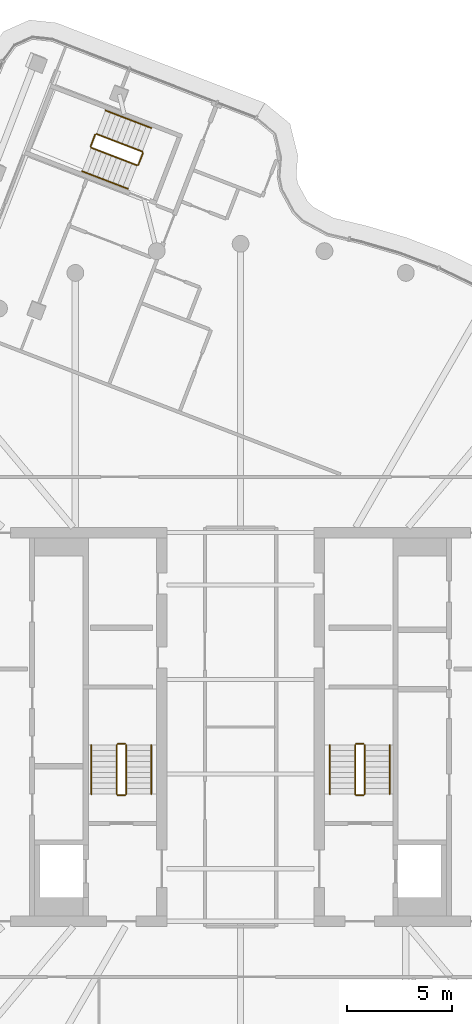
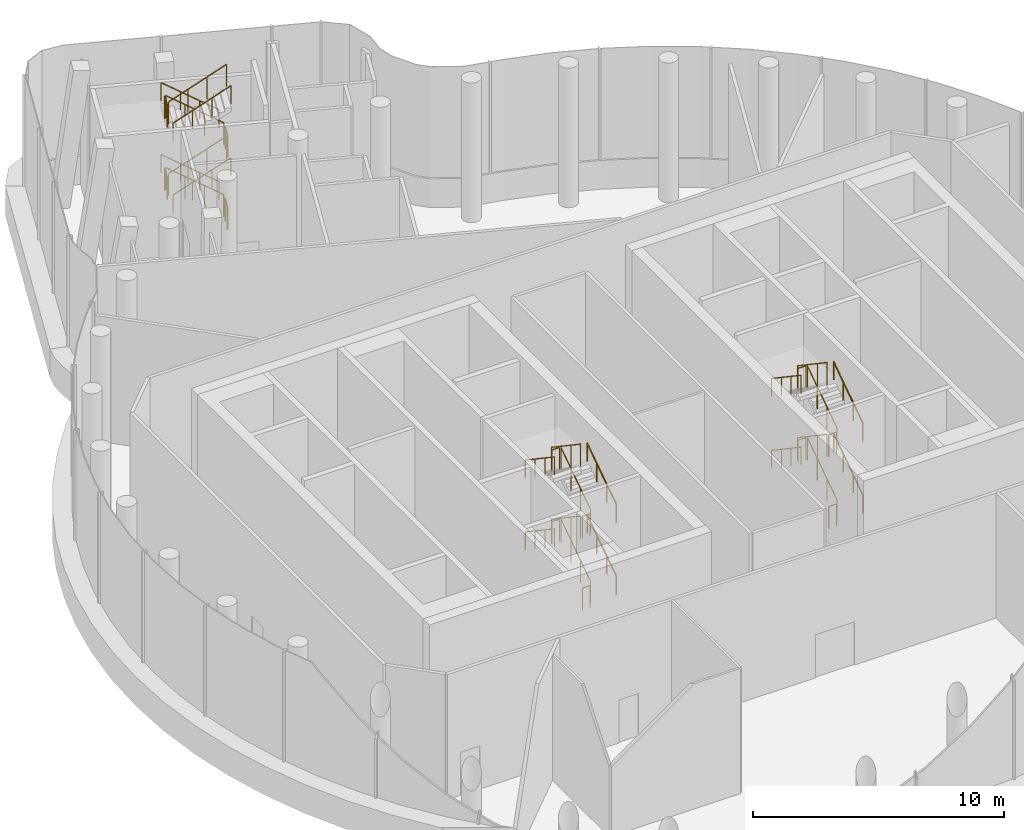
# One storey, part 12 of 12: 36 railings.
"""IFC4 building model written with IfcOpenShell, lengths in metres."""

from ifc_helpers import new_model, si_unit, direction, frame, origin, origin_2d, place, context, subcontext, project, spatial, circle, extrude, material, type_object, element, save


model = new_model("IFC4")

# Units and contexts
model_context = context("Model", 3, precision=1e-05, world=origin(), true_north=direction((0.0, 1.0)))
body_context = subcontext(model_context, "Body", "Model", "MODEL_VIEW")
ifc_project = project(units=[si_unit("LENGTHUNIT", "METRE"), si_unit("AREAUNIT", "SQUARE_METRE"), si_unit("VOLUMEUNIT", "CUBIC_METRE"), si_unit("PLANEANGLEUNIT", "RADIAN"), si_unit("MASSUNIT", "GRAM", prefix="KILO")], contexts=[model_context])

# Site, building, storey
site_placement = place(None, origin())
site = spatial("IfcSite", under=ifc_project, at=site_placement, CompositionType="ELEMENT")
building_placement = place(site_placement, origin())
building = spatial("IfcBuilding", under=site, at=building_placement, Name="Tamarind Cross Interchange Tower", CompositionType="ELEMENT")
storey_placement = place(building_placement, frame((0.0, 0.0, 287.39990234375)))
storey = spatial("IfcBuildingStorey", under=building, at=storey_placement, Name="L72", CompositionType="ELEMENT", Elevation=287.39990234375)

# Railings
ifc_material_1 = material(Name="Stair guard")
railing_type_1 = type_object("IfcRailingType", Name="Stair guard", PredefinedType="GUARDRAIL", material=ifc_material_1)
railing_1_placement = place(storey_placement, frame((-5.449951171875, -3.199951171875, 0.175048828125)))
element("IfcRailing", 1, at=railing_1_placement, inside=storey, type_object=railing_type_1, Name="L72 ST1 stair guard 1", PredefinedType="GUARDRAIL", context=body_context, shape_type="SweptSolid", body=[
    extrude(circle(Radius=0.02392578125, at=origin_2d()), frame((0.0, 0.0, 1.076171875), z_axis=(0.0, 0.829578494604, 0.558390115681), x_axis=(-1.0, 0.0, 0.0)), (0.0, 0.0, 1.0), 2.820556640625),
    extrude(circle(Radius=0.02099609375, at=origin_2d()), origin(), (0.0, 0.0, 1.0), 1.052001953125),
    extrude(circle(Radius=0.02099609375, at=origin_2d()), frame((0.0, 0.780029296875, 0.52490234375)), (0.0, 0.0, 1.0), 1.052001953125),
    extrude(circle(Radius=0.02099609375, at=origin_2d()), frame((0.0, 1.559814453125, 1.050048828125)), (0.0, 0.0, 1.0), 1.052001953125),
    extrude(circle(Radius=0.02099609375, at=origin_2d()), frame((0.0, 2.33984375, 1.574951171875)), (0.0, 0.0, 1.0), 1.052001953125),
])
railing_2_placement = place(storey_placement, frame((-5.5, -0.81005859375, 1.75)))
element("IfcRailing", 2, at=railing_2_placement, inside=storey, type_object=railing_type_1, Name="L72 ST1 stair guard 2", PredefinedType="GUARDRAIL", context=body_context, shape_type="SweptSolid", body=[
    extrude(circle(Radius=0.02392578125, at=origin_2d()), frame((0.0, 0.0, 1.076171875), z_axis=(-1.0, 0.0, 0.0), x_axis=(0.0, -1.0, 0.0)), (0.0, 0.0, 1.0), 0.35009765625),
    extrude(circle(Radius=0.02099609375, at=origin_2d()), origin(), (0.0, 0.0, 1.0), 1.052001953125),
    extrude(circle(Radius=0.02099609375, at=origin_2d()), frame((-0.35009765625, 0.0, 0.0)), (0.0, 0.0, 1.0), 1.052001953125),
])
railing_3_placement = place(storey_placement, frame((-5.89990234375, -0.860107421875, 1.925048828125)))
element("IfcRailing", 3, at=railing_3_placement, inside=storey, type_object=railing_type_1, Name="L72 ST1 stair guard 3", PredefinedType="GUARDRAIL", context=body_context, shape_type="SweptSolid", body=[
    extrude(circle(Radius=0.02392578125, at=origin_2d()), frame((0.0, 0.0, 1.076171875), z_axis=(0.0, -0.829578494604, 0.558390115681), x_axis=(1.0, 0.0, 0.0)), (0.0, 0.0, 1.0), 2.820556640625),
    extrude(circle(Radius=0.02099609375, at=origin_2d()), origin(), (0.0, 0.0, 1.0), 1.052001953125),
    extrude(circle(Radius=0.02099609375, at=origin_2d()), frame((0.0, -0.780029296875, 0.52490234375)), (0.0, 0.0, 1.0), 1.052001953125),
    extrude(circle(Radius=0.02099609375, at=origin_2d()), frame((0.0, -1.559814453125, 1.050048828125)), (0.0, 0.0, 1.0), 1.052001953125),
    extrude(circle(Radius=0.02099609375, at=origin_2d()), frame((0.0, -2.33984375, 1.574951171875)), (0.0, 0.0, 1.0), 1.052001953125),
])
railing_4_placement = place(storey_placement, frame((-5.5, -3.25, 3.5)))
element("IfcRailing", 4, at=railing_4_placement, inside=storey, type_object=railing_type_1, Name="L72 ST1 stair guard 4", PredefinedType="GUARDRAIL", context=body_context, shape_type="SweptSolid", body=[
    extrude(circle(Radius=0.02392578125, at=origin_2d()), frame((0.0, 0.0, 1.076171875), z_axis=(-1.0, 0.0, 0.0), x_axis=(0.0, -1.0, 0.0)), (0.0, 0.0, 1.0), 0.35009765625),
    extrude(circle(Radius=0.02099609375, at=origin_2d()), origin(), (0.0, 0.0, 1.0), 1.052001953125),
    extrude(circle(Radius=0.02099609375, at=origin_2d()), frame((-0.35009765625, 0.0, 0.0)), (0.0, 0.0, 1.0), 1.052001953125),
])
railing_5_placement = place(storey_placement, frame((-5.449951171875, -3.199951171875, 3.675048828125)))
element("IfcRailing", 5, at=railing_5_placement, inside=storey, type_object=railing_type_1, Name="L72 ST1 stair guard 5", PredefinedType="GUARDRAIL", context=body_context, shape_type="SweptSolid", body=[
    extrude(circle(Radius=0.02392578125, at=origin_2d()), frame((0.0, 0.0, 1.076171875), z_axis=(0.0, 0.829578494604, 0.558390115681), x_axis=(-1.0, 0.0, 0.0)), (0.0, 0.0, 1.0), 2.820556640625),
    extrude(circle(Radius=0.02099609375, at=origin_2d()), origin(), (0.0, 0.0, 1.0), 1.052001953125),
    extrude(circle(Radius=0.02099609375, at=origin_2d()), frame((0.0, 0.780029296875, 0.52490234375)), (0.0, 0.0, 1.0), 1.052001953125),
    extrude(circle(Radius=0.02099609375, at=origin_2d()), frame((0.0, 1.559814453125, 1.050048828125)), (0.0, 0.0, 1.0), 1.052001953125),
    extrude(circle(Radius=0.02099609375, at=origin_2d()), frame((0.0, 2.33984375, 1.574951171875)), (0.0, 0.0, 1.0), 1.052001953125),
])
railing_6_placement = place(storey_placement, frame((-5.5, -0.81005859375, 5.25)))
element("IfcRailing", 6, at=railing_6_placement, inside=storey, type_object=railing_type_1, Name="L72 ST1 stair guard 6", PredefinedType="GUARDRAIL", context=body_context, shape_type="SweptSolid", body=[
    extrude(circle(Radius=0.02392578125, at=origin_2d()), frame((0.0, 0.0, 1.076171875), z_axis=(-1.0, 0.0, 0.0), x_axis=(0.0, -1.0, 0.0)), (0.0, 0.0, 1.0), 0.35009765625),
    extrude(circle(Radius=0.02099609375, at=origin_2d()), origin(), (0.0, 0.0, 1.0), 1.052001953125),
    extrude(circle(Radius=0.02099609375, at=origin_2d()), frame((-0.35009765625, 0.0, 0.0)), (0.0, 0.0, 1.0), 1.052001953125),
])
railing_7_placement = place(storey_placement, frame((-5.89990234375, -0.860107421875, 5.425048828125)))
element("IfcRailing", 7, at=railing_7_placement, inside=storey, type_object=railing_type_1, Name="L72 ST1 stair guard 7", PredefinedType="GUARDRAIL", context=body_context, shape_type="SweptSolid", body=[
    extrude(circle(Radius=0.02392578125, at=origin_2d()), frame((0.0, 0.0, 1.076171875), z_axis=(0.0, -0.829578494604, 0.558390115681), x_axis=(1.0, 0.0, 0.0)), (0.0, 0.0, 1.0), 2.820556640625),
    extrude(circle(Radius=0.02099609375, at=origin_2d()), origin(), (0.0, 0.0, 1.0), 1.052001953125),
    extrude(circle(Radius=0.02099609375, at=origin_2d()), frame((0.0, -0.780029296875, 0.52490234375)), (0.0, 0.0, 1.0), 1.052001953125),
    extrude(circle(Radius=0.02099609375, at=origin_2d()), frame((0.0, -1.559814453125, 1.050048828125)), (0.0, 0.0, 1.0), 1.052001953125),
    extrude(circle(Radius=0.02099609375, at=origin_2d()), frame((0.0, -2.33984375, 1.574951171875)), (0.0, 0.0, 1.0), 1.052001953125),
])
railing_8_placement = place(storey_placement, frame((-5.5, -3.25, 0.0)))
element("IfcRailing", 8, at=railing_8_placement, inside=storey, type_object=railing_type_1, Name="L72 ST1 stair guard 8", PredefinedType="GUARDRAIL", context=body_context, shape_type="SweptSolid", body=[
    extrude(circle(Radius=0.02392578125, at=origin_2d()), frame((0.0, 0.0, 1.076171875), z_axis=(-1.0, 0.0, 0.0), x_axis=(0.0, -1.0, 0.0)), (0.0, 0.0, 1.0), 0.35009765625),
    extrude(circle(Radius=0.02099609375, at=origin_2d()), origin(), (0.0, 0.0, 1.0), 1.052001953125),
    extrude(circle(Radius=0.02099609375, at=origin_2d()), frame((-0.35009765625, 0.0, 0.0)), (0.0, 0.0, 1.0), 1.052001953125),
])
railing_9_placement = place(storey_placement, frame((5.89990234375, -3.199951171875, 0.175048828125)))
element("IfcRailing", 9, at=railing_9_placement, inside=storey, type_object=railing_type_1, Name="L72 ST2 stair guard 1", PredefinedType="GUARDRAIL", context=body_context, shape_type="SweptSolid", body=[
    extrude(circle(Radius=0.02392578125, at=origin_2d()), frame((0.0, 0.0, 1.076171875), z_axis=(0.0, 0.829578494604, 0.558390115681), x_axis=(-1.0, 0.0, 0.0)), (0.0, 0.0, 1.0), 2.820556640625),
    extrude(circle(Radius=0.02099609375, at=origin_2d()), origin(), (0.0, 0.0, 1.0), 1.052001953125),
    extrude(circle(Radius=0.02099609375, at=origin_2d()), frame((0.0, 0.780029296875, 0.52490234375)), (0.0, 0.0, 1.0), 1.052001953125),
    extrude(circle(Radius=0.02099609375, at=origin_2d()), frame((0.0, 1.559814453125, 1.050048828125)), (0.0, 0.0, 1.0), 1.052001953125),
    extrude(circle(Radius=0.02099609375, at=origin_2d()), frame((0.0, 2.33984375, 1.574951171875)), (0.0, 0.0, 1.0), 1.052001953125),
])
railing_10_placement = place(storey_placement, frame((5.85009765625, -0.81005859375, 1.75)))
element("IfcRailing", 10, at=railing_10_placement, inside=storey, type_object=railing_type_1, Name="L72 ST2 stair guard 2", PredefinedType="GUARDRAIL", context=body_context, shape_type="SweptSolid", body=[
    extrude(circle(Radius=0.02392578125, at=origin_2d()), frame((0.0, 0.0, 1.076171875), z_axis=(-1.0, 0.0, 0.0), x_axis=(0.0, -1.0, 0.0)), (0.0, 0.0, 1.0), 0.35009765625),
    extrude(circle(Radius=0.02099609375, at=origin_2d()), origin(), (0.0, 0.0, 1.0), 1.052001953125),
    extrude(circle(Radius=0.02099609375, at=origin_2d()), frame((-0.35009765625, 0.0, 0.0)), (0.0, 0.0, 1.0), 1.052001953125),
])
railing_11_placement = place(storey_placement, frame((5.449951171875, -0.860107421875, 1.925048828125)))
element("IfcRailing", 11, at=railing_11_placement, inside=storey, type_object=railing_type_1, Name="L72 ST2 stair guard 3", PredefinedType="GUARDRAIL", context=body_context, shape_type="SweptSolid", body=[
    extrude(circle(Radius=0.02392578125, at=origin_2d()), frame((0.0, 0.0, 1.076171875), z_axis=(0.0, -0.829578494604, 0.558390115681), x_axis=(1.0, 0.0, 0.0)), (0.0, 0.0, 1.0), 2.820556640625),
    extrude(circle(Radius=0.02099609375, at=origin_2d()), origin(), (0.0, 0.0, 1.0), 1.052001953125),
    extrude(circle(Radius=0.02099609375, at=origin_2d()), frame((0.0, -0.780029296875, 0.52490234375)), (0.0, 0.0, 1.0), 1.052001953125),
    extrude(circle(Radius=0.02099609375, at=origin_2d()), frame((0.0, -1.559814453125, 1.050048828125)), (0.0, 0.0, 1.0), 1.052001953125),
    extrude(circle(Radius=0.02099609375, at=origin_2d()), frame((0.0, -2.33984375, 1.574951171875)), (0.0, 0.0, 1.0), 1.052001953125),
])
railing_12_placement = place(storey_placement, frame((5.85009765625, -3.25, 3.5)))
element("IfcRailing", 12, at=railing_12_placement, inside=storey, type_object=railing_type_1, Name="L72 ST2 stair guard 4", PredefinedType="GUARDRAIL", context=body_context, shape_type="SweptSolid", body=[
    extrude(circle(Radius=0.02392578125, at=origin_2d()), frame((0.0, 0.0, 1.076171875), z_axis=(-1.0, 0.0, 0.0), x_axis=(0.0, -1.0, 0.0)), (0.0, 0.0, 1.0), 0.35009765625),
    extrude(circle(Radius=0.02099609375, at=origin_2d()), origin(), (0.0, 0.0, 1.0), 1.052001953125),
    extrude(circle(Radius=0.02099609375, at=origin_2d()), frame((-0.35009765625, 0.0, 0.0)), (0.0, 0.0, 1.0), 1.052001953125),
])
railing_13_placement = place(storey_placement, frame((5.89990234375, -3.199951171875, 3.675048828125)))
element("IfcRailing", 13, at=railing_13_placement, inside=storey, type_object=railing_type_1, Name="L72 ST2 stair guard 5", PredefinedType="GUARDRAIL", context=body_context, shape_type="SweptSolid", body=[
    extrude(circle(Radius=0.02392578125, at=origin_2d()), frame((0.0, 0.0, 1.076171875), z_axis=(0.0, 0.829578494604, 0.558390115681), x_axis=(-1.0, 0.0, 0.0)), (0.0, 0.0, 1.0), 2.820556640625),
    extrude(circle(Radius=0.02099609375, at=origin_2d()), origin(), (0.0, 0.0, 1.0), 1.052001953125),
    extrude(circle(Radius=0.02099609375, at=origin_2d()), frame((0.0, 0.780029296875, 0.52490234375)), (0.0, 0.0, 1.0), 1.052001953125),
    extrude(circle(Radius=0.02099609375, at=origin_2d()), frame((0.0, 1.559814453125, 1.050048828125)), (0.0, 0.0, 1.0), 1.052001953125),
    extrude(circle(Radius=0.02099609375, at=origin_2d()), frame((0.0, 2.33984375, 1.574951171875)), (0.0, 0.0, 1.0), 1.052001953125),
])
railing_14_placement = place(storey_placement, frame((5.85009765625, -0.81005859375, 5.25)))
element("IfcRailing", 14, at=railing_14_placement, inside=storey, type_object=railing_type_1, Name="L72 ST2 stair guard 6", PredefinedType="GUARDRAIL", context=body_context, shape_type="SweptSolid", body=[
    extrude(circle(Radius=0.02392578125, at=origin_2d()), frame((0.0, 0.0, 1.076171875), z_axis=(-1.0, 0.0, 0.0), x_axis=(0.0, -1.0, 0.0)), (0.0, 0.0, 1.0), 0.35009765625),
    extrude(circle(Radius=0.02099609375, at=origin_2d()), origin(), (0.0, 0.0, 1.0), 1.052001953125),
    extrude(circle(Radius=0.02099609375, at=origin_2d()), frame((-0.35009765625, 0.0, 0.0)), (0.0, 0.0, 1.0), 1.052001953125),
])
railing_15_placement = place(storey_placement, frame((5.449951171875, -0.860107421875, 5.425048828125)))
element("IfcRailing", 15, at=railing_15_placement, inside=storey, type_object=railing_type_1, Name="L72 ST2 stair guard 7", PredefinedType="GUARDRAIL", context=body_context, shape_type="SweptSolid", body=[
    extrude(circle(Radius=0.02392578125, at=origin_2d()), frame((0.0, 0.0, 1.076171875), z_axis=(0.0, -0.829578494604, 0.558390115681), x_axis=(1.0, 0.0, 0.0)), (0.0, 0.0, 1.0), 2.820556640625),
    extrude(circle(Radius=0.02099609375, at=origin_2d()), origin(), (0.0, 0.0, 1.0), 1.052001953125),
    extrude(circle(Radius=0.02099609375, at=origin_2d()), frame((0.0, -0.780029296875, 0.52490234375)), (0.0, 0.0, 1.0), 1.052001953125),
    extrude(circle(Radius=0.02099609375, at=origin_2d()), frame((0.0, -1.559814453125, 1.050048828125)), (0.0, 0.0, 1.0), 1.052001953125),
    extrude(circle(Radius=0.02099609375, at=origin_2d()), frame((0.0, -2.33984375, 1.574951171875)), (0.0, 0.0, 1.0), 1.052001953125),
])
railing_16_placement = place(storey_placement, frame((5.85009765625, -3.25, 0.0)))
element("IfcRailing", 16, at=railing_16_placement, inside=storey, type_object=railing_type_1, Name="L72 ST2 stair guard 8", PredefinedType="GUARDRAIL", context=body_context, shape_type="SweptSolid", body=[
    extrude(circle(Radius=0.02392578125, at=origin_2d()), frame((0.0, 0.0, 1.076171875), z_axis=(-1.0, 0.0, 0.0), x_axis=(0.0, -1.0, 0.0)), (0.0, 0.0, 1.0), 0.35009765625),
    extrude(circle(Radius=0.02099609375, at=origin_2d()), origin(), (0.0, 0.0, 1.0), 1.052001953125),
    extrude(circle(Radius=0.02099609375, at=origin_2d()), frame((-0.35009765625, 0.0, 0.0)), (0.0, 0.0, 1.0), 1.052001953125),
])
railing_17_placement = place(storey_placement, frame((-4.677001953125, 27.388671875, 0.175048828125)))
element("IfcRailing", 17, at=railing_17_placement, inside=storey, type_object=railing_type_1, Name="L72 ST4 stair guard 1", PredefinedType="GUARDRAIL", context=body_context, shape_type="SweptSolid", body=[
    extrude(circle(Radius=0.02392578125, at=origin_2d()), frame((0.0, 0.0, 1.076171875), z_axis=(-0.774246222095, 0.297926830235, 0.558374776829), x_axis=(-0.359125898774, -0.933289123921, 0.0)), (0.0, 0.0, 1.0), 2.820556640625),
    extrude(circle(Radius=0.02099609375, at=origin_2d()), origin(), (0.0, 0.0, 1.0), 1.052001953125),
    extrude(circle(Radius=0.02099609375, at=origin_2d()), frame((-0.72802734375, 0.280029296875, 0.52490234375)), (0.0, 0.0, 1.0), 1.052001953125),
    extrude(circle(Radius=0.02099609375, at=origin_2d()), frame((-1.455810546875, 0.560302734375, 1.050048828125)), (0.0, 0.0, 1.0), 1.052001953125),
    extrude(circle(Radius=0.02099609375, at=origin_2d()), frame((-2.183837890625, 0.84033203125, 1.574951171875)), (0.0, 0.0, 1.0), 1.052001953125),
])
railing_18_placement = place(storey_placement, frame((-6.925537109375, 28.2001953125, 1.75)))
element("IfcRailing", 18, at=railing_18_placement, inside=storey, type_object=railing_type_1, Name="L72 ST4 stair guard 2", PredefinedType="GUARDRAIL", context=body_context, shape_type="SweptSolid", body=[
    extrude(circle(Radius=0.02392578125, at=origin_2d()), frame((0.0, 0.0, 1.076171875), z_axis=(-0.35900635481, -0.933335115168, 0.0), x_axis=(0.933335115168, -0.35900635481, 0.0)), (0.0, 0.0, 1.0), 0.599853515625),
    extrude(circle(Radius=0.02099609375, at=origin_2d()), origin(), (0.0, 0.0, 1.0), 1.052001953125),
    extrude(circle(Radius=0.02099609375, at=origin_2d()), frame((-0.21533203125, -0.559814453125, 0.0)), (0.0, 0.0, 1.0), 1.052001953125),
])
railing_19_placement = place(storey_placement, frame((-7.1123046875, 27.57568359375, 1.925048828125)))
element("IfcRailing", 19, at=railing_19_placement, inside=storey, type_object=railing_type_1, Name="L72 ST4 stair guard 3", PredefinedType="GUARDRAIL", context=body_context, shape_type="SweptSolid", body=[
    extrude(circle(Radius=0.02392578125, at=origin_2d()), frame((0.0, 0.0, 1.076171875), z_axis=(0.774280888117, -0.297906865292, 0.558337358511), x_axis=(0.359090931673, 0.933302578369, 0.0)), (0.0, 0.0, 1.0), 2.82080078125),
    extrude(circle(Radius=0.02099609375, at=origin_2d()), origin(), (0.0, 0.0, 1.0), 1.052001953125),
    extrude(circle(Radius=0.02099609375, at=origin_2d()), frame((0.72802734375, -0.280029296875, 0.52490234375)), (0.0, 0.0, 1.0), 1.052001953125),
    extrude(circle(Radius=0.02099609375, at=origin_2d()), frame((1.4560546875, -0.560302734375, 1.050048828125)), (0.0, 0.0, 1.0), 1.052001953125),
    extrude(circle(Radius=0.02099609375, at=origin_2d()), frame((2.18408203125, -0.84033203125, 1.574951171875)), (0.0, 0.0, 1.0), 1.052001953125),
])
railing_20_placement = place(storey_placement, frame((-4.648193359375, 27.32421875, 3.5)))
element("IfcRailing", 20, at=railing_20_placement, inside=storey, type_object=railing_type_1, Name="L72 ST4 stair guard 4", PredefinedType="GUARDRAIL", context=body_context, shape_type="SweptSolid", body=[
    extrude(circle(Radius=0.02392578125, at=origin_2d()), frame((0.0, 0.0, 1.076171875), z_axis=(-0.359224418723, -0.933251207871, 0.0), x_axis=(0.933251207871, -0.359224418723, 0.0)), (0.0, 0.0, 1.0), 0.60009765625),
    extrude(circle(Radius=0.02099609375, at=origin_2d()), origin(), (0.0, 0.0, 1.0), 1.052001953125),
    extrude(circle(Radius=0.02099609375, at=origin_2d()), frame((-0.215576171875, -0.56005859375, 0.0)), (0.0, 0.0, 1.0), 1.052001953125),
])
railing_21_placement = place(storey_placement, frame((-4.677001953125, 27.388671875, 3.675048828125)))
element("IfcRailing", 21, at=railing_21_placement, inside=storey, type_object=railing_type_1, Name="L72 ST4 stair guard 5", PredefinedType="GUARDRAIL", context=body_context, shape_type="SweptSolid", body=[
    extrude(circle(Radius=0.02392578125, at=origin_2d()), frame((0.0, 0.0, 1.076171875), z_axis=(-0.774246222095, 0.297926830235, 0.558374776829), x_axis=(-0.359125898774, -0.933289123921, 0.0)), (0.0, 0.0, 1.0), 2.820556640625),
    extrude(circle(Radius=0.02099609375, at=origin_2d()), origin(), (0.0, 0.0, 1.0), 1.052001953125),
    extrude(circle(Radius=0.02099609375, at=origin_2d()), frame((-0.72802734375, 0.280029296875, 0.52490234375)), (0.0, 0.0, 1.0), 1.052001953125),
    extrude(circle(Radius=0.02099609375, at=origin_2d()), frame((-1.455810546875, 0.560302734375, 1.050048828125)), (0.0, 0.0, 1.0), 1.052001953125),
    extrude(circle(Radius=0.02099609375, at=origin_2d()), frame((-2.183837890625, 0.84033203125, 1.574951171875)), (0.0, 0.0, 1.0), 1.052001953125),
])
railing_22_placement = place(storey_placement, frame((-6.925537109375, 28.2001953125, 5.25)))
element("IfcRailing", 22, at=railing_22_placement, inside=storey, type_object=railing_type_1, Name="L72 ST4 stair guard 6", PredefinedType="GUARDRAIL", context=body_context, shape_type="SweptSolid", body=[
    extrude(circle(Radius=0.02392578125, at=origin_2d()), frame((0.0, 0.0, 1.076171875), z_axis=(-0.35900635481, -0.933335115168, 0.0), x_axis=(0.933335115168, -0.35900635481, 0.0)), (0.0, 0.0, 1.0), 0.599853515625),
    extrude(circle(Radius=0.02099609375, at=origin_2d()), origin(), (0.0, 0.0, 1.0), 1.052001953125),
    extrude(circle(Radius=0.02099609375, at=origin_2d()), frame((-0.21533203125, -0.559814453125, 0.0)), (0.0, 0.0, 1.0), 1.052001953125),
])
railing_23_placement = place(storey_placement, frame((-7.1123046875, 27.57568359375, 5.425048828125)))
element("IfcRailing", 23, at=railing_23_placement, inside=storey, type_object=railing_type_1, Name="L72 ST4 stair guard 7", PredefinedType="GUARDRAIL", context=body_context, shape_type="SweptSolid", body=[
    extrude(circle(Radius=0.02392578125, at=origin_2d()), frame((0.0, 0.0, 1.076171875), z_axis=(0.774280888117, -0.297906865292, 0.558337358511), x_axis=(0.359090931673, 0.933302578369, 0.0)), (0.0, 0.0, 1.0), 2.82080078125),
    extrude(circle(Radius=0.02099609375, at=origin_2d()), origin(), (0.0, 0.0, 1.0), 1.052001953125),
    extrude(circle(Radius=0.02099609375, at=origin_2d()), frame((0.72802734375, -0.280029296875, 0.52490234375)), (0.0, 0.0, 1.0), 1.052001953125),
    extrude(circle(Radius=0.02099609375, at=origin_2d()), frame((1.4560546875, -0.560302734375, 1.050048828125)), (0.0, 0.0, 1.0), 1.052001953125),
    extrude(circle(Radius=0.02099609375, at=origin_2d()), frame((2.18408203125, -0.84033203125, 1.574951171875)), (0.0, 0.0, 1.0), 1.052001953125),
])
railing_24_placement = place(storey_placement, frame((-4.648193359375, 27.32421875, 0.0)))
element("IfcRailing", 24, at=railing_24_placement, inside=storey, type_object=railing_type_1, Name="L72 ST4 stair guard 8", PredefinedType="GUARDRAIL", context=body_context, shape_type="SweptSolid", body=[
    extrude(circle(Radius=0.02392578125, at=origin_2d()), frame((0.0, 0.0, 1.076171875), z_axis=(-0.359224418723, -0.933251207871, 0.0), x_axis=(0.933251207871, -0.359224418723, 0.0)), (0.0, 0.0, 1.0), 0.60009765625),
    extrude(circle(Radius=0.02099609375, at=origin_2d()), origin(), (0.0, 0.0, 1.0), 1.052001953125),
    extrude(circle(Radius=0.02099609375, at=origin_2d()), frame((-0.215576171875, -0.56005859375, 0.0)), (0.0, 0.0, 1.0), 1.052001953125),
])
ifc_material_2 = material(Name="Stair handrail")
railing_type_2 = type_object("IfcRailingType", Name="Stair handrail", PredefinedType="HANDRAIL", material=ifc_material_2)
railing_25_placement = place(storey_placement, frame((-4.25, -3.199951171875, 0.175048828125)))
element("IfcRailing", 25, at=railing_25_placement, inside=storey, type_object=railing_type_2, Name="L72 ST1 stair handrail 1", PredefinedType="HANDRAIL", context=body_context, shape_type="SweptSolid", body=[
    extrude(circle(Radius=0.02392578125, at=origin_2d()), frame((0.0, 0.0, 0.8759765625), z_axis=(0.0, 0.829578494604, 0.558390115681), x_axis=(-1.0, 0.0, 0.0)), (0.0, 0.0, 1.0), 2.820556640625),
    extrude(circle(Radius=0.02099609375, at=origin_2d()), origin(), (0.0, 0.0, 1.0), 0.851806640625),
    extrude(circle(Radius=0.02099609375, at=origin_2d()), frame((0.0, 0.780029296875, 0.52490234375)), (0.0, 0.0, 1.0), 0.851806640625),
    extrude(circle(Radius=0.02099609375, at=origin_2d()), frame((0.0, 1.559814453125, 1.050048828125)), (0.0, 0.0, 1.0), 0.851806640625),
    extrude(circle(Radius=0.02099609375, at=origin_2d()), frame((0.0, 2.33984375, 1.574951171875)), (0.0, 0.0, 1.0), 0.851806640625),
])
railing_26_placement = place(storey_placement, frame((-7.10009765625, -0.860107421875, 1.925048828125)))
element("IfcRailing", 26, at=railing_26_placement, inside=storey, type_object=railing_type_2, Name="L72 ST1 stair handrail 2", PredefinedType="HANDRAIL", context=body_context, shape_type="SweptSolid", body=[
    extrude(circle(Radius=0.02392578125, at=origin_2d()), frame((0.0, 0.0, 0.8759765625), z_axis=(0.0, -0.829578494604, 0.558390115681), x_axis=(1.0, 0.0, 0.0)), (0.0, 0.0, 1.0), 2.820556640625),
    extrude(circle(Radius=0.02099609375, at=origin_2d()), origin(), (0.0, 0.0, 1.0), 0.851806640625),
    extrude(circle(Radius=0.02099609375, at=origin_2d()), frame((0.0, -0.780029296875, 0.52490234375)), (0.0, 0.0, 1.0), 0.851806640625),
    extrude(circle(Radius=0.02099609375, at=origin_2d()), frame((0.0, -1.559814453125, 1.050048828125)), (0.0, 0.0, 1.0), 0.851806640625),
    extrude(circle(Radius=0.02099609375, at=origin_2d()), frame((0.0, -2.33984375, 1.574951171875)), (0.0, 0.0, 1.0), 0.851806640625),
])
railing_27_placement = place(storey_placement, frame((-4.25, -3.199951171875, 3.675048828125)))
element("IfcRailing", 27, at=railing_27_placement, inside=storey, type_object=railing_type_2, Name="L72 ST1 stair handrail 3", PredefinedType="HANDRAIL", context=body_context, shape_type="SweptSolid", body=[
    extrude(circle(Radius=0.02392578125, at=origin_2d()), frame((0.0, 0.0, 0.8759765625), z_axis=(0.0, 0.829578494604, 0.558390115681), x_axis=(-1.0, 0.0, 0.0)), (0.0, 0.0, 1.0), 2.820556640625),
    extrude(circle(Radius=0.02099609375, at=origin_2d()), origin(), (0.0, 0.0, 1.0), 0.851806640625),
    extrude(circle(Radius=0.02099609375, at=origin_2d()), frame((0.0, 0.780029296875, 0.52490234375)), (0.0, 0.0, 1.0), 0.851806640625),
    extrude(circle(Radius=0.02099609375, at=origin_2d()), frame((0.0, 1.559814453125, 1.050048828125)), (0.0, 0.0, 1.0), 0.851806640625),
    extrude(circle(Radius=0.02099609375, at=origin_2d()), frame((0.0, 2.33984375, 1.574951171875)), (0.0, 0.0, 1.0), 0.851806640625),
])
railing_28_placement = place(storey_placement, frame((-7.10009765625, -0.860107421875, 5.425048828125)))
element("IfcRailing", 28, at=railing_28_placement, inside=storey, type_object=railing_type_2, Name="L72 ST1 stair handrail 4", PredefinedType="HANDRAIL", context=body_context, shape_type="SweptSolid", body=[
    extrude(circle(Radius=0.02392578125, at=origin_2d()), frame((0.0, 0.0, 0.8759765625), z_axis=(0.0, -0.829578494604, 0.558390115681), x_axis=(1.0, 0.0, 0.0)), (0.0, 0.0, 1.0), 2.820556640625),
    extrude(circle(Radius=0.02099609375, at=origin_2d()), origin(), (0.0, 0.0, 1.0), 0.851806640625),
    extrude(circle(Radius=0.02099609375, at=origin_2d()), frame((0.0, -0.780029296875, 0.52490234375)), (0.0, 0.0, 1.0), 0.851806640625),
    extrude(circle(Radius=0.02099609375, at=origin_2d()), frame((0.0, -1.559814453125, 1.050048828125)), (0.0, 0.0, 1.0), 0.851806640625),
    extrude(circle(Radius=0.02099609375, at=origin_2d()), frame((0.0, -2.33984375, 1.574951171875)), (0.0, 0.0, 1.0), 0.851806640625),
])
railing_29_placement = place(storey_placement, frame((7.10009765625, -3.199951171875, 0.175048828125)))
element("IfcRailing", 29, at=railing_29_placement, inside=storey, type_object=railing_type_2, Name="L72 ST2 stair handrail 1", PredefinedType="HANDRAIL", context=body_context, shape_type="SweptSolid", body=[
    extrude(circle(Radius=0.02392578125, at=origin_2d()), frame((0.0, 0.0, 0.8759765625), z_axis=(0.0, 0.829578494604, 0.558390115681), x_axis=(-1.0, 0.0, 0.0)), (0.0, 0.0, 1.0), 2.820556640625),
    extrude(circle(Radius=0.02099609375, at=origin_2d()), origin(), (0.0, 0.0, 1.0), 0.851806640625),
    extrude(circle(Radius=0.02099609375, at=origin_2d()), frame((0.0, 0.780029296875, 0.52490234375)), (0.0, 0.0, 1.0), 0.851806640625),
    extrude(circle(Radius=0.02099609375, at=origin_2d()), frame((0.0, 1.559814453125, 1.050048828125)), (0.0, 0.0, 1.0), 0.851806640625),
    extrude(circle(Radius=0.02099609375, at=origin_2d()), frame((0.0, 2.33984375, 1.574951171875)), (0.0, 0.0, 1.0), 0.851806640625),
])
railing_30_placement = place(storey_placement, frame((4.25, -0.860107421875, 1.925048828125)))
element("IfcRailing", 30, at=railing_30_placement, inside=storey, type_object=railing_type_2, Name="L72 ST2 stair handrail 2", PredefinedType="HANDRAIL", context=body_context, shape_type="SweptSolid", body=[
    extrude(circle(Radius=0.02392578125, at=origin_2d()), frame((0.0, 0.0, 0.8759765625), z_axis=(0.0, -0.829578494604, 0.558390115681), x_axis=(1.0, 0.0, 0.0)), (0.0, 0.0, 1.0), 2.820556640625),
    extrude(circle(Radius=0.02099609375, at=origin_2d()), origin(), (0.0, 0.0, 1.0), 0.851806640625),
    extrude(circle(Radius=0.02099609375, at=origin_2d()), frame((0.0, -0.780029296875, 0.52490234375)), (0.0, 0.0, 1.0), 0.851806640625),
    extrude(circle(Radius=0.02099609375, at=origin_2d()), frame((0.0, -1.559814453125, 1.050048828125)), (0.0, 0.0, 1.0), 0.851806640625),
    extrude(circle(Radius=0.02099609375, at=origin_2d()), frame((0.0, -2.33984375, 1.574951171875)), (0.0, 0.0, 1.0), 0.851806640625),
])
railing_31_placement = place(storey_placement, frame((7.10009765625, -3.199951171875, 3.675048828125)))
element("IfcRailing", 31, at=railing_31_placement, inside=storey, type_object=railing_type_2, Name="L72 ST2 stair handrail 3", PredefinedType="HANDRAIL", context=body_context, shape_type="SweptSolid", body=[
    extrude(circle(Radius=0.02392578125, at=origin_2d()), frame((0.0, 0.0, 0.8759765625), z_axis=(0.0, 0.829578494604, 0.558390115681), x_axis=(-1.0, 0.0, 0.0)), (0.0, 0.0, 1.0), 2.820556640625),
    extrude(circle(Radius=0.02099609375, at=origin_2d()), origin(), (0.0, 0.0, 1.0), 0.851806640625),
    extrude(circle(Radius=0.02099609375, at=origin_2d()), frame((0.0, 0.780029296875, 0.52490234375)), (0.0, 0.0, 1.0), 0.851806640625),
    extrude(circle(Radius=0.02099609375, at=origin_2d()), frame((0.0, 1.559814453125, 1.050048828125)), (0.0, 0.0, 1.0), 0.851806640625),
    extrude(circle(Radius=0.02099609375, at=origin_2d()), frame((0.0, 2.33984375, 1.574951171875)), (0.0, 0.0, 1.0), 0.851806640625),
])
railing_32_placement = place(storey_placement, frame((4.25, -0.860107421875, 5.425048828125)))
element("IfcRailing", 32, at=railing_32_placement, inside=storey, type_object=railing_type_2, Name="L72 ST2 stair handrail 4", PredefinedType="HANDRAIL", context=body_context, shape_type="SweptSolid", body=[
    extrude(circle(Radius=0.02392578125, at=origin_2d()), frame((0.0, 0.0, 0.8759765625), z_axis=(0.0, -0.829578494604, 0.558390115681), x_axis=(1.0, 0.0, 0.0)), (0.0, 0.0, 1.0), 2.820556640625),
    extrude(circle(Radius=0.02099609375, at=origin_2d()), origin(), (0.0, 0.0, 1.0), 0.851806640625),
    extrude(circle(Radius=0.02099609375, at=origin_2d()), frame((0.0, -0.780029296875, 0.52490234375)), (0.0, 0.0, 1.0), 0.851806640625),
    extrude(circle(Radius=0.02099609375, at=origin_2d()), frame((0.0, -1.559814453125, 1.050048828125)), (0.0, 0.0, 1.0), 0.851806640625),
    extrude(circle(Radius=0.02099609375, at=origin_2d()), frame((0.0, -2.33984375, 1.574951171875)), (0.0, 0.0, 1.0), 0.851806640625),
])
railing_33_placement = place(storey_placement, frame((-4.24609375, 28.5087890625, 0.175048828125)))
element("IfcRailing", 33, at=railing_33_placement, inside=storey, type_object=railing_type_2, Name="L72 ST4 stair handrail 1", PredefinedType="HANDRAIL", context=body_context, shape_type="SweptSolid", body=[
    extrude(circle(Radius=0.02392578125, at=origin_2d()), frame((0.0, 0.0, 0.8759765625), z_axis=(-0.774266185801, 0.297847953643, 0.558389174354), x_axis=(-0.359035013677, -0.933324091061, 0.0)), (0.0, 0.0, 1.0), 2.820556640625),
    extrude(circle(Radius=0.02099609375, at=origin_2d()), origin(), (0.0, 0.0, 1.0), 0.851806640625),
    extrude(circle(Radius=0.02099609375, at=origin_2d()), frame((-0.72802734375, 0.280029296875, 0.52490234375)), (0.0, 0.0, 1.0), 0.851806640625),
    extrude(circle(Radius=0.02099609375, at=origin_2d()), frame((-1.455810546875, 0.56005859375, 1.050048828125)), (0.0, 0.0, 1.0), 0.851806640625),
    extrude(circle(Radius=0.02099609375, at=origin_2d()), frame((-2.183837890625, 0.840087890625, 1.574951171875)), (0.0, 0.0, 1.0), 0.851806640625),
])
railing_34_placement = place(storey_placement, frame((-7.543212890625, 26.45556640625, 1.925048828125)))
element("IfcRailing", 34, at=railing_34_placement, inside=storey, type_object=railing_type_2, Name="L72 ST4 stair handrail 2", PredefinedType="HANDRAIL", context=body_context, shape_type="SweptSolid", body=[
    extrude(circle(Radius=0.02392578125, at=origin_2d()), frame((0.0, 0.0, 0.8759765625), z_axis=(0.774300850041, -0.297827992957, 0.558351753143), x_axis=(0.359000052805, 0.933337539203, 0.0)), (0.0, 0.0, 1.0), 2.82080078125),
    extrude(circle(Radius=0.02099609375, at=origin_2d()), origin(), (0.0, 0.0, 1.0), 0.851806640625),
    extrude(circle(Radius=0.02099609375, at=origin_2d()), frame((0.72802734375, -0.280029296875, 0.52490234375)), (0.0, 0.0, 1.0), 0.851806640625),
    extrude(circle(Radius=0.02099609375, at=origin_2d()), frame((1.4560546875, -0.56005859375, 1.050048828125)), (0.0, 0.0, 1.0), 0.851806640625),
    extrude(circle(Radius=0.02099609375, at=origin_2d()), frame((2.18408203125, -0.840087890625, 1.574951171875)), (0.0, 0.0, 1.0), 0.851806640625),
])
railing_35_placement = place(storey_placement, frame((-4.24609375, 28.5087890625, 3.675048828125)))
element("IfcRailing", 35, at=railing_35_placement, inside=storey, type_object=railing_type_2, Name="L72 ST4 stair handrail 3", PredefinedType="HANDRAIL", context=body_context, shape_type="SweptSolid", body=[
    extrude(circle(Radius=0.02392578125, at=origin_2d()), frame((0.0, 0.0, 0.8759765625), z_axis=(-0.774266185801, 0.297847953643, 0.558389174354), x_axis=(-0.359035013677, -0.933324091061, 0.0)), (0.0, 0.0, 1.0), 2.820556640625),
    extrude(circle(Radius=0.02099609375, at=origin_2d()), origin(), (0.0, 0.0, 1.0), 0.851806640625),
    extrude(circle(Radius=0.02099609375, at=origin_2d()), frame((-0.72802734375, 0.280029296875, 0.52490234375)), (0.0, 0.0, 1.0), 0.851806640625),
    extrude(circle(Radius=0.02099609375, at=origin_2d()), frame((-1.455810546875, 0.56005859375, 1.050048828125)), (0.0, 0.0, 1.0), 0.851806640625),
    extrude(circle(Radius=0.02099609375, at=origin_2d()), frame((-2.183837890625, 0.840087890625, 1.574951171875)), (0.0, 0.0, 1.0), 0.851806640625),
])
railing_36_placement = place(storey_placement, frame((-7.543212890625, 26.45556640625, 5.425048828125)))
element("IfcRailing", 36, at=railing_36_placement, inside=storey, type_object=railing_type_2, Name="L72 ST4 stair handrail 4", PredefinedType="HANDRAIL", context=body_context, shape_type="SweptSolid", body=[
    extrude(circle(Radius=0.02392578125, at=origin_2d()), frame((0.0, 0.0, 0.8759765625), z_axis=(0.774300850041, -0.297827992957, 0.558351753143), x_axis=(0.359000052805, 0.933337539203, 0.0)), (0.0, 0.0, 1.0), 2.82080078125),
    extrude(circle(Radius=0.02099609375, at=origin_2d()), origin(), (0.0, 0.0, 1.0), 0.851806640625),
    extrude(circle(Radius=0.02099609375, at=origin_2d()), frame((0.72802734375, -0.280029296875, 0.52490234375)), (0.0, 0.0, 1.0), 0.851806640625),
    extrude(circle(Radius=0.02099609375, at=origin_2d()), frame((1.4560546875, -0.56005859375, 1.050048828125)), (0.0, 0.0, 1.0), 0.851806640625),
    extrude(circle(Radius=0.02099609375, at=origin_2d()), frame((2.18408203125, -0.840087890625, 1.574951171875)), (0.0, 0.0, 1.0), 0.851806640625),
])

save(model, "model.ifc")
